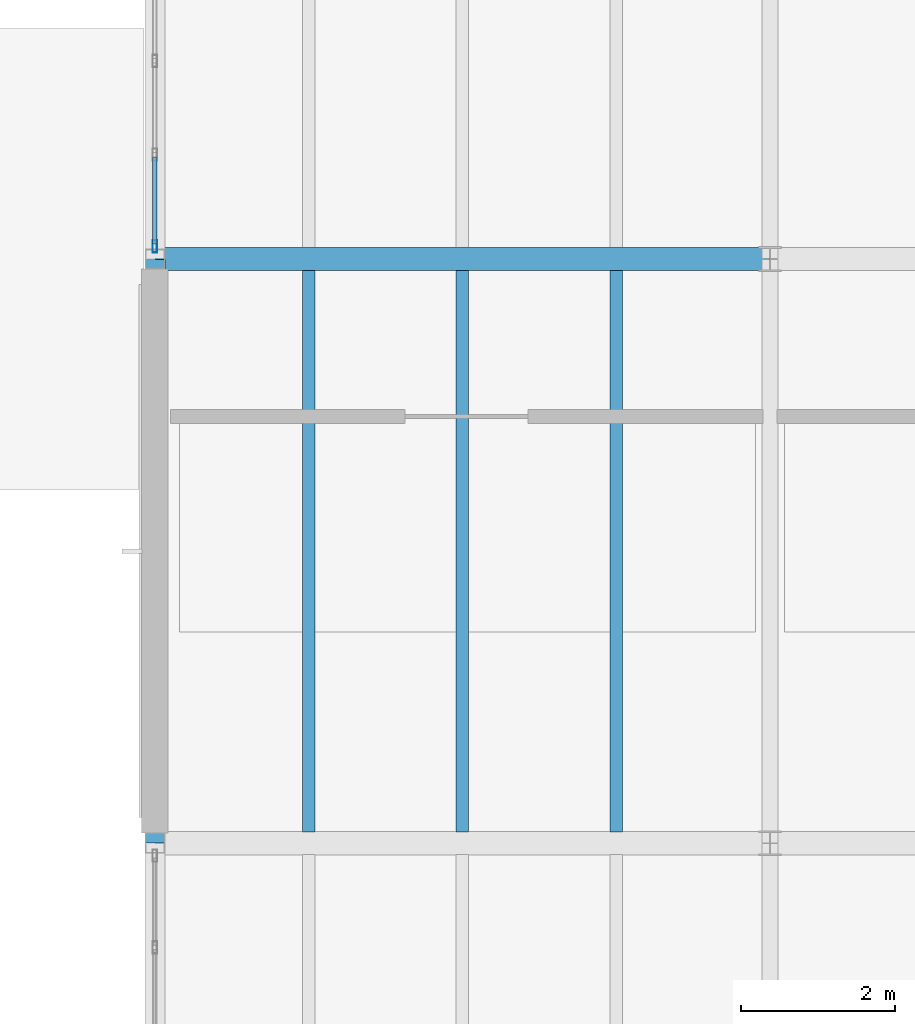
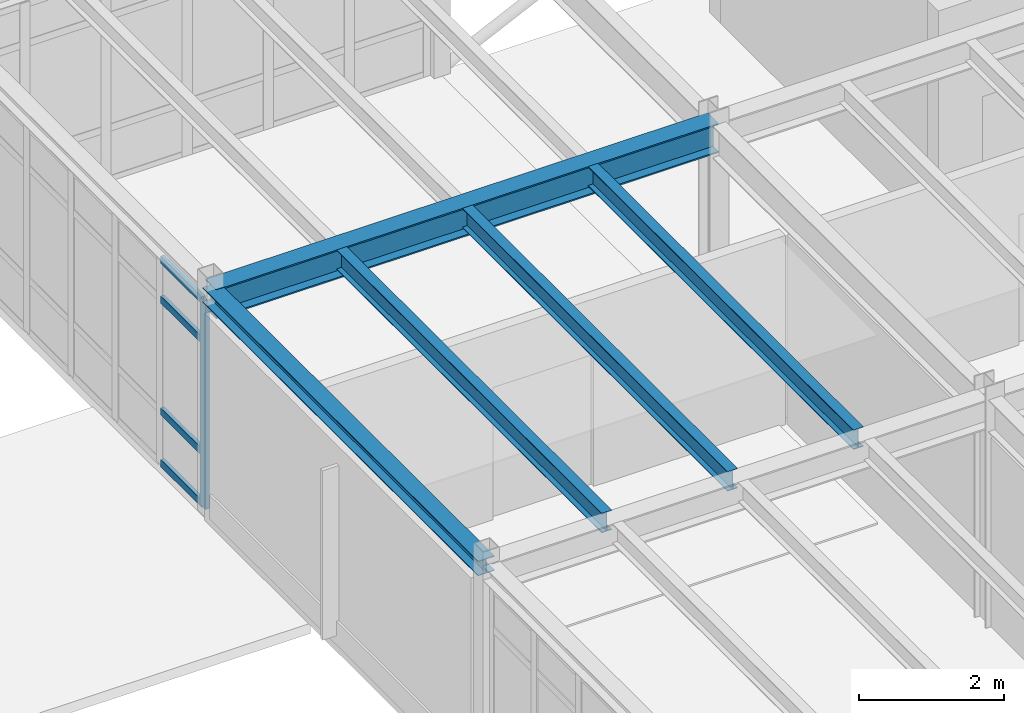
# One storey, part 116 of 189: 5 beams, 5 members, 1 element without a shape of its own.
"""IFC4 building model written with IfcOpenShell, lengths in metres."""

import ifcopenshell
import ifcopenshell.guid

model = None  # the IFC model being written
_history = None  # IfcOwnerHistory: only IFC2X3 demands one
_inside = {}  # id of a spatial element -> (the spatial element, [elements in it])
_under = {}  # id of a project, library or spatial element -> (it, [spatial elements below it])
_declared = {}  # id of a project -> (the project, [libraries it declares])
_typed = {}  # id of a type object -> (the type object, [elements of that type])
_made_of = {}  # id of a material, layer set ... -> (it, [elements and type objects made of it])


def new_model(schema):
    """Start an empty IFC model of exactly this schema.

    Asked for "IFC4X3", IfcOpenShell would pick the latest addendum, in which some entities
    have other attributes; the version numbers below select the first issue.
    IFC2X3 requires an IfcOwnerHistory on every rooted entity: one is made here for all.
    """
    global model, _history
    if schema == "IFC4X3":
        model = ifcopenshell.file(schema_version=(4, 3, 0, 0))
    else:
        model = ifcopenshell.file(schema=schema)
    _inside.clear()
    _under.clear()
    _declared.clear()
    _typed.clear()
    _made_of.clear()
    _history = None
    if model.schema == "IFC2X3":
        org = make("IfcOrganization", Name="unknown")
        user = make(
            "IfcPersonAndOrganization",
            ThePerson=make("IfcPerson", FamilyName="unknown"),
            TheOrganization=org,
        )
        app = make(
            "IfcApplication",
            ApplicationDeveloper=org,
            Version="unknown",
            ApplicationFullName="unknown",
            ApplicationIdentifier="unknown",
        )
        _history = make(
            "IfcOwnerHistory",
            OwningUser=user,
            OwningApplication=app,
            ChangeAction="ADDED",
            CreationDate=0,
        )
    return model


def make(cls, **values):
    """One entity of the class cls with the attributes given. An attribute that is None is left unset."""
    return model.create_entity(
        cls, **{name: value for name, value in values.items() if value is not None}
    )


def rooted(cls, **values):
    """An entity with a GlobalId (a new one), such as an element, a storey or a relation."""
    return make(cls, GlobalId=ifcopenshell.guid.new(), OwnerHistory=_history, **values)


def si_unit(unit_type, name, prefix=None):
    """IfcSIUnit, for example si_unit("LENGTHUNIT", "METRE", prefix="MILLI")."""
    return make("IfcSIUnit", UnitType=unit_type, Prefix=prefix, Name=name)


def assignment(units):
    """IfcUnitAssignment: the units of a project."""
    return None if units is None else make("IfcUnitAssignment", Units=units)


def point(xyz):
    """IfcCartesianPoint."""
    return None if xyz is None else make("IfcCartesianPoint", Coordinates=xyz)


def direction(xyz):
    """IfcDirection."""
    return None if xyz is None else make("IfcDirection", DirectionRatios=xyz)


def frame(location, z_axis=None, x_axis=None):
    """IfcAxis2Placement3D, a coordinate frame: its origin and axes. An axis left out is left unset."""
    return make(
        "IfcAxis2Placement3D",
        Location=point(location),
        Axis=direction(z_axis),
        RefDirection=direction(x_axis),
    )


def frame_2d(location, x_axis=None):
    """IfcAxis2Placement2D, a coordinate frame in the plane: its origin and x axis."""
    return make(
        "IfcAxis2Placement2D", Location=point(location), RefDirection=direction(x_axis)
    )


def origin():
    """The frame at (0, 0, 0) with its axes left unset."""
    return frame((0.0, 0.0, 0.0))


def origin_2d():
    """The frame at (0, 0) in the plane with its x axis left unset."""
    return frame_2d((0.0, 0.0))


def place(relative_to, where):
    """IfcLocalPlacement: puts the frame where relative to a parent placement (None: the world)."""
    return make(
        "IfcLocalPlacement", PlacementRelTo=relative_to, RelativePlacement=where
    )


def context(
    kind, dimensions, precision=None, world=None, true_north=None, identifier=None
):
    """IfcGeometricRepresentationContext, for example the 3D "Model" context."""
    return make(
        "IfcGeometricRepresentationContext",
        ContextIdentifier=identifier,
        ContextType=kind,
        CoordinateSpaceDimension=dimensions,
        Precision=precision,
        WorldCoordinateSystem=world,
        TrueNorth=true_north,
    )


def subcontext(parent, identifier, kind, view, scale=None):
    """IfcGeometricRepresentationSubContext, for example "Body" below "Model"."""
    return make(
        "IfcGeometricRepresentationSubContext",
        ContextIdentifier=identifier,
        ContextType=kind,
        ParentContext=parent,
        TargetScale=scale,
        TargetView=view,
    )


def project(units=None, contexts=None):
    """IfcProject with its units and contexts."""
    return rooted(
        "IfcProject",
        Name="project",
        RepresentationContexts=contexts,
        UnitsInContext=assignment(units),
    )


def spatial(cls, under=None, at=None, **own):
    """A site, building, storey or space (cls), placed at a placement, below another one or the project."""
    s = rooted(cls, ObjectPlacement=at, **own)
    if under is not None:
        _under.setdefault(under.id(), (under, []))[1].append(s)
    return s


def profile(cls, at=None, kind="AREA", **sizes):
    """A parametric profile (cls). Its sizes go by their IFC names, for example OverallWidth=200.0."""
    return make(cls, ProfileType=kind, Position=at, **sizes)


def hollow_rectangle(**sizes):
    """IfcRectangleHollowProfileDef."""
    return profile("IfcRectangleHollowProfileDef", **sizes)


def i_section(**sizes):
    """IfcIShapeProfileDef."""
    return profile("IfcIShapeProfileDef", **sizes)


def extrude(swept, where, along, depth):
    """IfcExtrudedAreaSolid: the profile swept, set in the frame where, extruded along a direction by depth."""
    return make(
        "IfcExtrudedAreaSolid",
        SweptArea=swept,
        Position=where,
        ExtrudedDirection=direction(along),
        Depth=depth,
    )


def shape(context_of_items, identifier, shape_type, items):
    """IfcShapeRepresentation: the items that make up one representation, for example the "Body"."""
    return make(
        "IfcShapeRepresentation",
        ContextOfItems=context_of_items,
        RepresentationIdentifier=identifier,
        RepresentationType=shape_type,
        Items=items,
    )


def material(Name=None, Category=None):
    """IfcMaterial."""
    return make("IfcMaterial", Name=Name, Category=Category)


def layer(
    of_material, thickness, ventilated=None, Name=None, Category=None, Priority=None
):
    """IfcMaterialLayer: one layer of a wall or slab, of a material (None: an air gap)."""
    return make(
        "IfcMaterialLayer",
        Material=of_material,
        LayerThickness=thickness,
        IsVentilated=ventilated,
        Name=Name,
        Category=Category,
        Priority=Priority,
    )


def layer_set(layers, Name=None):
    """IfcMaterialLayerSet."""
    return make("IfcMaterialLayerSet", MaterialLayers=layers, LayerSetName=Name)


def material_profile(
    of_material, cross_section, Name=None, Category=None, Priority=None
):
    """IfcMaterialProfile: a cross section and its material."""
    return make(
        "IfcMaterialProfile",
        Name=Name,
        Material=of_material,
        Profile=cross_section,
        Priority=Priority,
        Category=Category,
    )


def profile_set(profiles, Name=None, composite=None):
    """IfcMaterialProfileSet."""
    return make(
        "IfcMaterialProfileSet",
        Name=Name,
        MaterialProfiles=profiles,
        CompositeProfile=composite,
    )


def made_of(thing, what):
    """Note that an element or type object is made of a material, layer set ...; save() writes the relation."""
    if what is not None:
        _made_of.setdefault(what.id(), (what, []))[1].append(thing)
    return thing


def type_object(cls, material=None, **own):
    """A type object (cls), such as IfcWallType, which elements share."""
    return made_of(rooted(cls, **own), material)


def element(
    cls,
    number,
    at=None,
    inside=None,
    cuts=None,
    type_object=None,
    material=None,
    context=None,
    identifier="Body",
    shape_type=None,
    held_by="IfcProductDefinitionShape",
    body=None,
    shapes=None,
    **own,
):
    """One element of the class cls, such as IfcWall. Its Tag is "e" and its number.

    at: its placement. inside: the storey or other place that contains it. cuts: it is an
    opening in that element (IfcRelVoidsElement). A single representation is given by context,
    identifier, shape_type and body (its items); several are given by shapes. held_by: the class
    of the entity that holds the representations. save() writes the other relations.
    """
    e = rooted(cls, Tag="e%d" % number, ObjectPlacement=at, **own)
    if body is not None:
        shapes = [shape(context, identifier, shape_type, body)]
    if shapes is not None:
        e.Representation = make(held_by, Representations=shapes)
    if inside is not None:
        _inside.setdefault(inside.id(), (inside, []))[1].append(e)
    if cuts is not None:
        rooted(
            "IfcRelVoidsElement", RelatingBuildingElement=cuts, RelatedOpeningElement=e
        )
    if type_object is not None:
        _typed.setdefault(type_object.id(), (type_object, []))[1].append(e)
    return made_of(e, material)


def aggregate(whole, parts):
    """IfcRelAggregates: a whole, such as a stair, and the parts it consists of."""
    return rooted("IfcRelAggregates", RelatingObject=whole, RelatedObjects=parts)


def save(model, path):
    """Write the relations noted so far, then the file.

    IfcRelAggregates (storeys below a building ...), IfcRelContainedInSpatialStructure (elements
    in a storey), IfcRelDefinesByType, IfcRelAssociatesMaterial and IfcRelDeclares: one each for
    every whole, place, type object, material and project.
    """
    for whole, parts in _under.values():
        aggregate(whole, parts)
    for where, things in _inside.values():
        rooted(
            "IfcRelContainedInSpatialStructure",
            RelatedElements=things,
            RelatingStructure=where,
        )
    for kind, things in _typed.values():
        rooted("IfcRelDefinesByType", RelatedObjects=things, RelatingType=kind)
    for what, things in _made_of.values():
        rooted("IfcRelAssociatesMaterial", RelatedObjects=things, RelatingMaterial=what)
    for by, libraries in _declared.values():
        rooted("IfcRelDeclares", RelatingContext=by, RelatedDefinitions=libraries)
    model.write(path)


model = new_model("IFC4")

# Units and contexts
model_context = context("Model", 3, precision=1e-05, world=origin(), true_north=direction((0.0, 1.0)))
body_context = subcontext(model_context, "Body", "Model", "MODEL_VIEW")
ifc_project = project(units=[si_unit("LENGTHUNIT", "METRE"), si_unit("AREAUNIT", "SQUARE_METRE"), si_unit("VOLUMEUNIT", "CUBIC_METRE"), si_unit("PLANEANGLEUNIT", "RADIAN"), si_unit("MASSUNIT", "GRAM", prefix="KILO")], contexts=[model_context])

# Site, building, storey
site_placement = place(None, origin())
site = spatial("IfcSite", under=ifc_project, at=site_placement, CompositionType="ELEMENT")
building_placement = place(site_placement, origin())
building = spatial("IfcBuilding", under=site, at=building_placement, Name="Montecoro Central Library", CompositionType="ELEMENT")
storey_placement = place(building_placement, frame((0.0, 0.0, 9.179931640625)))
storey = spatial("IfcBuildingStorey", under=building, at=storey_placement, Name="L02", CompositionType="ELEMENT", Elevation=9.179931640625)

# Beams
ifc_material_1 = material(Name="Steel S355J2", Category="steel")
ifc_material_profile_1 = material_profile(ifc_material_1, i_section(OverallWidth=0.300048828125, OverallDepth=0.489990234375, WebThickness=0.011962890625, FlangeThickness=0.02294921875, at=origin_2d()), Name="HEA 500")
ifc_profile_set_1 = profile_set([ifc_material_profile_1], Name="Steel S355J2")
beam_type_1 = type_object("IfcBeamType", Name="BM-G-HEA500", PredefinedType="USERDEFINED", material=ifc_profile_set_1)
beam_1_placement = place(storey_placement, frame((141.0048828125, 35.39990234375, 3.580078125), z_axis=(1.0, 0.0, 0.0), x_axis=(0.0, 1.0, 0.0)))
element("IfcBeam", 1, at=beam_1_placement, inside=storey, type_object=beam_type_1, Name="V6-L02-BX-1819-E", ObjectType="GIRDER", PredefinedType="USERDEFINED", context=body_context, shape_type="SweptSolid", body=[
    extrude(i_section(OverallWidth=0.300048828125, OverallDepth=0.489990234375, WebThickness=0.011962890625, FlangeThickness=0.02294921875, at=origin_2d()), origin(), (0.0, 0.0, 1.0), 7.990234375),
])
ifc_material_2 = material(Name="Steel S355", Category="steel")
ifc_material_profile_2 = material_profile(ifc_material_2, i_section(OverallWidth=0.159912109375, OverallDepth=0.330078125, WebThickness=0.007568359375, FlangeThickness=0.011474609375, at=origin_2d()), Name="IPE 330")
ifc_profile_set_2 = profile_set([ifc_material_profile_2], Name="Steel S355")
beam_type_2 = type_object("IfcBeamType", Name="BM-J-IPE330", PredefinedType="JOIST", material=ifc_profile_set_2)
for number, where, z_axis, x_axis, name in (
    (2, (143.0, 27.947021484375, 3.66015625), (0.0, 1.0, 0.0), (-1.0, 0.0, 0.0), "V6-L02-JS-1819-DE-1"),
    (3, (145.0, 27.947021484375, 3.66015625), (0.0, 1.0, 0.0), (-1.0, 0.0, 0.0), "V6-L02-JS-1819-DE-2"),
    (4, (147.0, 27.947021484375, 3.66015625), (0.0, 1.0, 0.0), (-1.0, 0.0, 0.0), "V6-L02-JS-1819-DE-3"),
):
    element("IfcBeam", number, at=place(storey_placement, frame(where, z_axis=z_axis, x_axis=x_axis)), inside=storey, type_object=beam_type_2, Name=name, PredefinedType="JOIST", context=body_context, shape_type="SweptSolid", body=[
        extrude(i_section(OverallWidth=0.159912109375, OverallDepth=0.330078125, WebThickness=0.007568359375, FlangeThickness=0.011474609375, at=origin_2d()), origin(), (0.0, 0.0, 1.0), 7.305908203125),
    ])
ifc_material_profile_3 = material_profile(ifc_material_2, i_section(OverallWidth=0.260009765625, OverallDepth=0.25, WebThickness=0.007568359375, FlangeThickness=0.012451171875, at=origin_2d()), Name="HEA 260")
ifc_profile_set_3 = profile_set([ifc_material_profile_3], Name="Steel S355")
beam_type_3 = type_object("IfcBeamType", Name="BM-SP-HEA260", PredefinedType="SPANDREL", material=ifc_profile_set_3)
beam_2_placement = place(storey_placement, frame((141.0, 27.804931640625, 3.699951171875), z_axis=(0.0, 1.0, 0.0), x_axis=(-1.0, 0.0, 0.0)))
element("IfcBeam", 5, at=beam_2_placement, inside=storey, type_object=beam_type_3, Name="V6-L02-BY-18-DE", PredefinedType="SPANDREL", context=body_context, shape_type="SweptSolid", body=[
    extrude(i_section(OverallWidth=0.260009765625, OverallDepth=0.25, WebThickness=0.007568359375, FlangeThickness=0.012451171875, at=origin_2d()), origin(), (0.0, 0.0, 1.0), 7.590087890625),
])

# Curtain wall, members
ifc_material_3 = material(Name="Bronze-anodised aluminium and low-E glazing", Category="aluminium")
ifc_layer = layer(ifc_material_3, 0.159912109375)
ifc_layer_set = layer_set([ifc_layer], Name="Bronze-anodised aluminium and low-E glazing")
curtain_wall_type = type_object("IfcCurtainWallType", Name="CWT-067", PredefinedType="NOTDEFINED", material=ifc_layer_set)
curtain_wall_placement = place(storey_placement, origin())
curtain_wall = element("IfcCurtainWall", 6, at=curtain_wall_placement, inside=storey, type_object=curtain_wall_type, Name="V6-L02-CW-W4", PredefinedType="NOTDEFINED")
ifc_material_4 = material(Name="Bronze-anodised aluminium", Category="aluminium")
ifc_material_profile_4 = material_profile(ifc_material_4, hollow_rectangle(XDim=0.06005859375, YDim=0.159912109375, WallThickness=0.00390625, at=origin_2d()), Name="CWM 160x60x4.0")
ifc_profile_set_4 = profile_set([ifc_material_profile_4], Name="Bronze-anodised aluminium")
member_type_1 = type_object("IfcMemberType", Name="CWM-BRZ-60", PredefinedType="MULLION", material=ifc_profile_set_4)
member_1_placement = place(storey_placement, frame((141.0, 35.56298828125, 0.0), z_axis=(0.0, 0.0, 1.0), x_axis=(1.0, 0.0, 0.0)))
member_1 = element("IfcMember", 7, at=member_1_placement, type_object=member_type_1, Name="CW-067 mullion 7", PredefinedType="MULLION", context=body_context, shape_type="SweptSolid", body=[
    extrude(hollow_rectangle(XDim=0.06005859375, YDim=0.159912109375, WallThickness=0.00390625, at=origin_2d()), origin(), (0.0, 0.0, 1.0), 3.47998046875),
])
ifc_material_profile_5 = material_profile(ifc_material_4, hollow_rectangle(XDim=0.06005859375, YDim=0.1201171875, WallThickness=0.00390625, at=origin_2d()), Name="CWT 120x60x4.0")
ifc_profile_set_5 = profile_set([ifc_material_profile_5], Name="Bronze-anodised aluminium")
member_type_2 = type_object("IfcMemberType", Name="CWT-BRZ-60", PredefinedType="USERDEFINED", material=ifc_profile_set_5)
member_2_placement = place(storey_placement, frame((141.0, 36.725341796875, 0.030029296875), z_axis=(0.0, -1.0, 0.0), x_axis=(1.0, 0.0, 0.0)))
member_2 = element("IfcMember", 8, at=member_2_placement, type_object=member_type_2, Name="CW-067 transom 6.1", ObjectType="TRANSOM", PredefinedType="USERDEFINED", context=body_context, shape_type="SweptSolid", body=[
    extrude(hollow_rectangle(XDim=0.06005859375, YDim=0.1201171875, WallThickness=0.00390625, at=origin_2d()), origin(), (0.0, 0.0, 1.0), 1.13232421875),
])
member_3_placement = place(storey_placement, frame((141.0, 36.725341796875, 0.900146484375), z_axis=(0.0, -1.0, 0.0), x_axis=(1.0, 0.0, 0.0)))
member_3 = element("IfcMember", 9, at=member_3_placement, type_object=member_type_2, Name="CW-067 transom 6.2", ObjectType="TRANSOM", PredefinedType="USERDEFINED", context=body_context, shape_type="SweptSolid", body=[
    extrude(hollow_rectangle(XDim=0.06005859375, YDim=0.1201171875, WallThickness=0.00390625, at=origin_2d()), origin(), (0.0, 0.0, 1.0), 1.13232421875),
])
member_4_placement = place(storey_placement, frame((141.0, 36.725341796875, 2.780029296875), z_axis=(0.0, -1.0, 0.0), x_axis=(1.0, 0.0, 0.0)))
member_4 = element("IfcMember", 10, at=member_4_placement, type_object=member_type_2, Name="CW-067 transom 6.3", ObjectType="TRANSOM", PredefinedType="USERDEFINED", context=body_context, shape_type="SweptSolid", body=[
    extrude(hollow_rectangle(XDim=0.06005859375, YDim=0.1201171875, WallThickness=0.00390625, at=origin_2d()), origin(), (0.0, 0.0, 1.0), 1.13232421875),
])
member_5_placement = place(storey_placement, frame((141.0, 36.725341796875, 3.449951171875), z_axis=(0.0, -1.0, 0.0), x_axis=(1.0, 0.0, 0.0)))
member_5 = element("IfcMember", 11, at=member_5_placement, type_object=member_type_2, Name="CW-067 transom 6.4", ObjectType="TRANSOM", PredefinedType="USERDEFINED", context=body_context, shape_type="SweptSolid", body=[
    extrude(hollow_rectangle(XDim=0.06005859375, YDim=0.1201171875, WallThickness=0.00390625, at=origin_2d()), origin(), (0.0, 0.0, 1.0), 1.13232421875),
])
aggregate(curtain_wall, [member_1, member_2, member_3, member_4, member_5])

save(model, "model.ifc")
